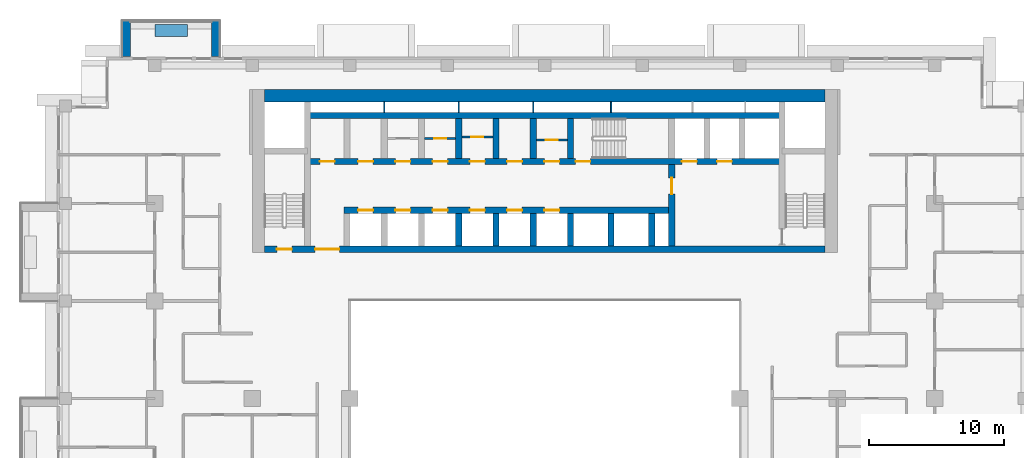
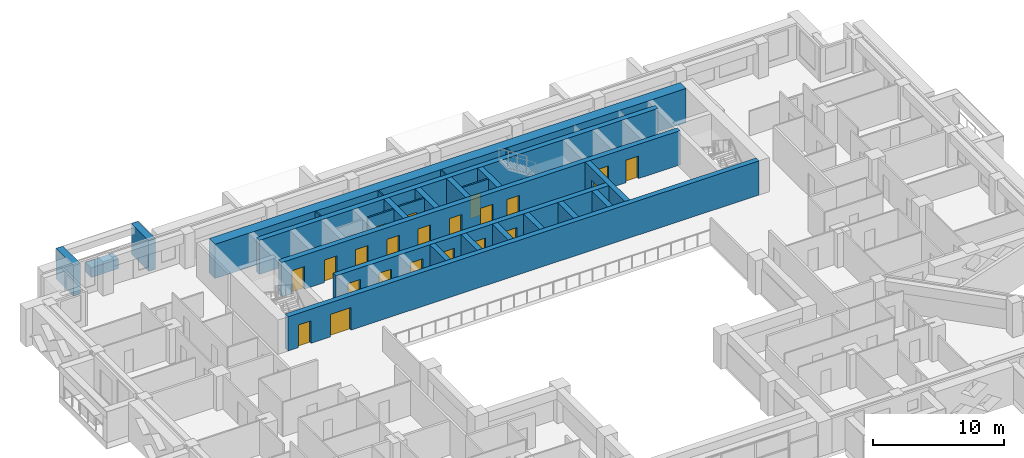
# One storey, part 10 of 17: 26 walls, 22 doors, 22 openings.
"""IFC4 building model written with IfcOpenShell, lengths in metres."""

from ifc_helpers import new_model, si_unit, direction, frame, frame_2d, origin, place, context, subcontext, project, spatial, rectangle, extrude, material, layer, layer_set, type_object, element, fill, save


model = new_model("IFC4")

# Units and contexts
model_context = context("Model", 3, precision=1e-05, world=origin(), true_north=direction((0.0, 1.0)))
body_context = subcontext(model_context, "Body", "Model", "MODEL_VIEW")
ifc_project = project(units=[si_unit("LENGTHUNIT", "METRE"), si_unit("AREAUNIT", "SQUARE_METRE"), si_unit("VOLUMEUNIT", "CUBIC_METRE"), si_unit("PLANEANGLEUNIT", "RADIAN"), si_unit("MASSUNIT", "GRAM", prefix="KILO")], contexts=[model_context])

# Site, building, storey
site_placement = place(None, origin())
site = spatial("IfcSite", under=ifc_project, at=site_placement, CompositionType="ELEMENT")
building_placement = place(site_placement, origin())
building = spatial("IfcBuilding", under=site, at=building_placement, Name="Saffron Iwan Residences", CompositionType="ELEMENT")
storey_placement = place(building_placement, frame((0.0, 0.0, 100.5)))
storey = spatial("IfcBuildingStorey", under=building, at=storey_placement, Name="L26", CompositionType="ELEMENT", Elevation=100.5)

# Walls
ifc_material_1 = material(Name="Concrete C50/60 white painted", Category="concrete")
ifc_layer_1 = layer(ifc_material_1, 0.60009765625)
ifc_layer_set_1 = layer_set([ifc_layer_1], Name="Concrete C50/60 white painted")
wall_type_1 = type_object("IfcWallType", Name="BALCONY FIN 600", PredefinedType="SOLIDWALL", material=ifc_layer_set_1)
for number, where, z_axis, x_axis, name in (
    (1, (26.10009765625, 80.449951171875, 0.0), (0.0, 0.0, 1.0), (0.0, 1.0, 0.0), "Balcony fin L26 F5-3a"),
    (2, (19.5, 80.449951171875, 0.0), (0.0, 0.0, 1.0), (0.0, 1.0, 0.0), "Balcony fin L26 F5-3b"),
):
    element("IfcWall", number, at=place(storey_placement, frame(where, z_axis=z_axis, x_axis=x_axis)), inside=storey, type_object=wall_type_1, Name=name, PredefinedType="SOLIDWALL", context=body_context, shape_type="SweptSolid", body=[
        extrude(rectangle(XDim=2.650146484375, YDim=0.60009765625, at=frame_2d((1.3251953125, 0.0))), origin(), (0.0, 0.0, 1.0), 2.85009765625),
    ])
ifc_material_2 = material(Name="Concrete C35/45 white painted", Category="concrete")
ifc_layer_2 = layer(ifc_material_2, 0.14990234375)
ifc_layer_set_2 = layer_set([ifc_layer_2], Name="Concrete C35/45 white painted")
wall_type_2 = type_object("IfcWallType", Name="BALCONY PLANTER", PredefinedType="SOLIDWALL", material=ifc_layer_set_2)
wall_1_placement = place(storey_placement, frame((24.0, 82.375, 0.0), z_axis=(0.0, 0.0, 1.0), x_axis=(-1.0, 0.0, 0.0)))
element("IfcWall", 3, at=wall_1_placement, inside=storey, type_object=wall_type_2, Name="PLANTER L26 F5-3", PredefinedType="SOLIDWALL", context=body_context, shape_type="SweptSolid", body=[
    extrude(rectangle(XDim=2.39990234375, YDim=0.89990234375, at=frame_2d((1.199951171875, 0.0))), origin(), (0.0, 0.0, 1.0), 0.89990234375),
])

# Wall, opening, door
ifc_material_3 = material(Name="Fire-rated plasterboard partition")
ifc_layer_3 = layer(ifc_material_3, 0.14990234375)
ifc_layer_set_3 = layer_set([ifc_layer_3], Name="Fire-rated plasterboard partition")
wall_type_3 = type_object("IfcWallType", Name="Core partition 150", PredefinedType="PARTITIONING", material=ifc_layer_set_3)
wall_2_placement = place(storey_placement, frame((41.52490234375, 74.39990234375, 0.0), z_axis=(0.0, 0.0, 1.0), x_axis=(1.0, 0.0, 0.0)))
wall_2 = element("IfcWall", 4, at=wall_2_placement, inside=storey, type_object=wall_type_3, Name="Core partition P02", PredefinedType="PARTITIONING", context=body_context, shape_type="SweptSolid", body=[
    extrude(rectangle(XDim=2.300048828125, YDim=0.14990234375, at=frame_2d((1.14990234375, 0.0))), origin(), (0.0, 0.0, 1.0), 3.179931640625),
])
opening_1_placement = place(wall_2_placement, frame((0.699951171875, 0.0, 0.0)))
opening_1 = element("IfcOpeningElement", 5, at=opening_1_placement, cuts=wall_2, Name="Opening SB", PredefinedType="OPENING", context=body_context, shape_type="SweptSolid", body=[
    extrude(rectangle(XDim=0.89990234375, YDim=2.10009765625, at=frame_2d((0.449951171875, 1.050048828125))), frame((0.0, 0.0849609375, 0.0), z_axis=(0.0, -1.0, 0.0), x_axis=(1.0, 0.0, 0.0)), (0.0, 0.0, 1.0), 0.169921875),
])
ifc_material_4 = material(Name="Steel fire door", Category="steel")
door_type_1 = type_object("IfcDoorType", Name="Store door 900", OperationType="NOTDEFINED", PredefinedType="DOOR", material=ifc_material_4)
door_1_placement = place(opening_1_placement, origin())
door_1 = element("IfcDoor", 6, at=door_1_placement, inside=storey, type_object=door_type_1, Name="Door Stationery store", OperationType="SINGLE_SWING_LEFT", OverallHeight=2.10009765625, OverallWidth=0.89990234375, PredefinedType="DOOR", context=body_context, shape_type="SweptSolid", body=[
    extrude(rectangle(XDim=0.89990234375, YDim=2.10009765625, at=frame_2d((0.449951171875, 1.050048828125))), frame((0.0, 0.02490234375, 0.0), z_axis=(0.0, -1.0, 0.0), x_axis=(1.0, 0.0, 0.0)), (0.0, 0.0, 1.0), 0.050048828125),
])
fill(opening_1, door_1)

wall_3_placement = place(storey_placement, frame((44.27490234375, 74.51806640625, 0.0), z_axis=(0.0, 0.0, 1.0), x_axis=(1.0, 0.0, 0.0)))
wall_3 = element("IfcWall", 7, at=wall_3_placement, inside=storey, type_object=wall_type_3, Name="Core partition P03", PredefinedType="PARTITIONING", context=body_context, shape_type="SweptSolid", body=[
    extrude(rectangle(XDim=2.300048828125, YDim=0.14990234375, at=frame_2d((1.14990234375, 0.0))), origin(), (0.0, 0.0, 1.0), 3.179931640625),
])
opening_2_placement = place(wall_3_placement, frame((0.699951171875, 0.0, 0.0)))
opening_2 = element("IfcOpeningElement", 8, at=opening_2_placement, cuts=wall_3, Name="Opening SB", PredefinedType="OPENING", context=body_context, shape_type="SweptSolid", body=[
    extrude(rectangle(XDim=0.89990234375, YDim=2.10009765625, at=frame_2d((0.449951171875, 1.050048828125))), frame((0.0, 0.0849609375, 0.0), z_axis=(0.0, -1.0, 0.0), x_axis=(1.0, 0.0, 0.0)), (0.0, 0.0, 1.0), 0.169921875),
])
door_2_placement = place(opening_2_placement, origin())
door_2 = element("IfcDoor", 9, at=door_2_placement, inside=storey, type_object=door_type_1, Name="Door Tool store", OperationType="SINGLE_SWING_LEFT", OverallHeight=2.10009765625, OverallWidth=0.89990234375, PredefinedType="DOOR", context=body_context, shape_type="SweptSolid", body=[
    extrude(rectangle(XDim=0.89990234375, YDim=2.10009765625, at=frame_2d((0.449951171875, 1.050048828125))), frame((0.0, 0.02490234375, 0.0), z_axis=(0.0, -1.0, 0.0), x_axis=(1.0, 0.0, 0.0)), (0.0, 0.0, 1.0), 0.050048828125),
])
fill(opening_2, door_2)

wall_4_placement = place(storey_placement, frame((49.77490234375, 74.281982421875, 0.0), z_axis=(0.0, 0.0, 1.0), x_axis=(1.0, 0.0, 0.0)))
wall_4 = element("IfcWall", 10, at=wall_4_placement, inside=storey, type_object=wall_type_3, Name="Core partition P04", PredefinedType="PARTITIONING", context=body_context, shape_type="SweptSolid", body=[
    extrude(rectangle(XDim=2.300048828125, YDim=0.14990234375, at=frame_2d((1.14990234375, 0.0))), origin(), (0.0, 0.0, 1.0), 3.179931640625),
])
opening_3_placement = place(wall_4_placement, frame((0.699951171875, 0.0, 0.0)))
opening_3 = element("IfcOpeningElement", 11, at=opening_3_placement, cuts=wall_4, Name="Opening SB", PredefinedType="OPENING", context=body_context, shape_type="SweptSolid", body=[
    extrude(rectangle(XDim=0.89990234375, YDim=2.10009765625, at=frame_2d((0.449951171875, 1.050048828125))), frame((0.0, 0.0849609375, 0.0), z_axis=(0.0, -1.0, 0.0), x_axis=(1.0, 0.0, 0.0)), (0.0, 0.0, 1.0), 0.169921875),
])
door_3_placement = place(opening_3_placement, origin())
door_3 = element("IfcDoor", 12, at=door_3_placement, inside=storey, type_object=door_type_1, Name="Door Equipment store", OperationType="SINGLE_SWING_RIGHT", OverallHeight=2.10009765625, OverallWidth=0.89990234375, PredefinedType="DOOR", context=body_context, shape_type="SweptSolid", body=[
    extrude(rectangle(XDim=0.89990234375, YDim=2.10009765625, at=frame_2d((0.449951171875, 1.050048828125))), frame((0.0, 0.02490234375, 0.0), z_axis=(0.0, -1.0, 0.0), x_axis=(1.0, 0.0, 0.0)), (0.0, 0.0, 1.0), 0.050048828125),
])
fill(opening_3, door_3)

# Walls
ifc_layer_4 = layer(ifc_material_3, 0.10009765625)
ifc_layer_set_4 = layer_set([ifc_layer_4], Name="Fire-rated plasterboard partition")
wall_type_4 = type_object("IfcWallType", Name="Riser partition 100", PredefinedType="PARTITIONING", material=ifc_layer_set_4)
for number, where, z_axis, x_axis, name in (
    (13, (38.550048828125, 76.324951171875, 0.0), (0.0, 0.0, 1.0), (0.0, 1.0, 0.0), "Core partition P05"),
    (14, (44.050048828125, 76.324951171875, 0.0), (0.0, 0.0, 1.0), (0.0, 1.0, 0.0), "Core partition P06"),
    (15, (49.550048828125, 76.324951171875, 0.0), (0.0, 0.0, 1.0), (0.0, 1.0, 0.0), "Core partition P07"),
    (16, (55.300048828125, 76.324951171875, 0.0), (0.0, 0.0, 1.0), (0.0, 1.0, 0.0), "Core partition P08"),
):
    element("IfcWall", number, at=place(storey_placement, frame(where, z_axis=z_axis, x_axis=x_axis)), inside=storey, type_object=wall_type_4, Name=name, PredefinedType="PARTITIONING", context=body_context, shape_type="SweptSolid", body=[
        extrude(rectangle(XDim=0.775146484375, YDim=0.10009765625, at=frame_2d((0.3876953125, 0.0))), origin(), (0.0, 0.0, 1.0), 3.179931640625),
    ])

# Wall, openings, doors
ifc_material_5 = material(Name="Concrete C60/75", Category="concrete")
ifc_layer_5 = layer(ifc_material_5, 0.449951171875)
ifc_layer_set_5 = layer_set([ifc_layer_5], Name="Concrete C60/75")
wall_type_5 = type_object("IfcWallType", Name="WALL CORE 450 C60/75 3180 HIGH", PredefinedType="SHEAR", material=ifc_layer_set_5)
wall_5_placement = place(storey_placement, frame((29.699951171875, 66.22509765625, 0.0), z_axis=(0.0, 0.0, 1.0), x_axis=(1.0, 0.0, 0.0)))
wall_5 = element("IfcWall", 17, at=wall_5_placement, inside=storey, type_object=wall_type_5, Name="Core wall", PredefinedType="SHEAR", context=body_context, shape_type="SweptSolid", body=[
    extrude(rectangle(XDim=41.400146484375, YDim=0.449951171875, at=frame_2d((20.7001953125, 0.0))), origin(), (0.0, 0.0, 1.0), 3.179931640625),
])
opening_4_placement = place(wall_5_placement, frame((0.925048828125, 0.0, 0.0)))
opening_4 = element("IfcOpeningElement", 18, at=opening_4_placement, cuts=wall_5, Name="Opening SD", PredefinedType="OPENING", context=body_context, shape_type="SweptSolid", body=[
    extrude(rectangle(XDim=1.10009765625, YDim=2.10009765625, at=frame_2d((0.550048828125, 1.050048828125))), frame((0.0, 0.23486328125, 0.0), z_axis=(0.0, -1.0, 0.0), x_axis=(1.0, 0.0, 0.0)), (0.0, 0.0, 1.0), 0.469970703125),
])
opening_5_placement = place(wall_5_placement, frame((3.737548828125, 0.0, 0.0)))
opening_5 = element("IfcOpeningElement", 19, at=opening_5_placement, cuts=wall_5, Name="Opening DD", PredefinedType="OPENING", context=body_context, shape_type="SweptSolid", body=[
    extrude(rectangle(XDim=1.800048828125, YDim=2.10009765625, at=frame_2d((0.89990234375, 1.050048828125))), frame((0.0, 0.23486328125, 0.0), z_axis=(0.0, -1.0, 0.0), x_axis=(1.0, 0.0, 0.0)), (0.0, 0.0, 1.0), 0.469970703125),
])
door_type_2 = type_object("IfcDoorType", Name="Lobby double door 1800", OperationType="DOUBLE_DOOR_SINGLE_SWING", PredefinedType="DOOR", material=ifc_material_4)
door_4_placement = place(opening_5_placement, origin())
door_4 = element("IfcDoor", 20, at=door_4_placement, inside=storey, type_object=door_type_2, Name="Lobby doors", OperationType="DOUBLE_DOOR_SINGLE_SWING", OverallHeight=2.10009765625, OverallWidth=1.800048828125, PredefinedType="DOOR", context=body_context, shape_type="SweptSolid", body=[
    extrude(rectangle(XDim=1.800048828125, YDim=2.10009765625, at=frame_2d((0.89990234375, 1.050048828125))), frame((0.0, 0.02490234375, 0.0), z_axis=(0.0, -1.0, 0.0), x_axis=(1.0, 0.0, 0.0)), (0.0, 0.0, 1.0), 0.050048828125),
])
fill(opening_5, door_4)
door_type_3 = type_object("IfcDoorType", Name="Stair door 1100", OperationType="NOTDEFINED", PredefinedType="DOOR", material=ifc_material_4)
door_5_placement = place(opening_4_placement, origin())
door_5 = element("IfcDoor", 21, at=door_5_placement, inside=storey, type_object=door_type_3, Name="Stair door ST-W", OperationType="SINGLE_SWING_LEFT", OverallHeight=2.10009765625, OverallWidth=1.10009765625, PredefinedType="DOOR", context=body_context, shape_type="SweptSolid", body=[
    extrude(rectangle(XDim=1.10009765625, YDim=2.10009765625, at=frame_2d((0.550048828125, 1.050048828125))), frame((0.0, 0.02490234375, 0.0), z_axis=(0.0, -1.0, 0.0), x_axis=(1.0, 0.0, 0.0)), (0.0, 0.0, 1.0), 0.050048828125),
])
fill(opening_4, door_5)

wall_6_placement = place(storey_placement, frame((35.574951171875, 69.10009765625, 0.0), z_axis=(0.0, 0.0, 1.0), x_axis=(1.0, 0.0, 0.0)))
wall_6 = element("IfcWall", 22, at=wall_6_placement, inside=storey, type_object=wall_type_5, Name="Core wall", PredefinedType="SHEAR", context=body_context, shape_type="SweptSolid", body=[
    extrude(rectangle(XDim=24.199951171875, YDim=0.449951171875, at=frame_2d((12.10009765625, 0.0))), origin(), (0.0, 0.0, 1.0), 3.179931640625),
])
opening_6_placement = place(wall_6_placement, frame((1.050048828125, 0.0, 0.0)))
opening_6 = element("IfcOpeningElement", 23, at=opening_6_placement, cuts=wall_6, Name="Opening LD", PredefinedType="OPENING", context=body_context, shape_type="SweptSolid", body=[
    extrude(rectangle(XDim=1.10009765625, YDim=2.10009765625, at=frame_2d((0.550048828125, 1.050048828125))), frame((0.0, 0.23486328125, 0.0), z_axis=(0.0, -1.0, 0.0), x_axis=(1.0, 0.0, 0.0)), (0.0, 0.0, 1.0), 0.469970703125),
])
opening_7_placement = place(wall_6_placement, frame((3.800048828125, 0.0, 0.0)))
opening_7 = element("IfcOpeningElement", 24, at=opening_7_placement, cuts=wall_6, Name="Opening LD", PredefinedType="OPENING", context=body_context, shape_type="SweptSolid", body=[
    extrude(rectangle(XDim=1.10009765625, YDim=2.10009765625, at=frame_2d((0.550048828125, 1.050048828125))), frame((0.0, 0.23486328125, 0.0), z_axis=(0.0, -1.0, 0.0), x_axis=(1.0, 0.0, 0.0)), (0.0, 0.0, 1.0), 0.469970703125),
])
opening_8_placement = place(wall_6_placement, frame((6.550048828125, 0.0, 0.0)))
opening_8 = element("IfcOpeningElement", 25, at=opening_8_placement, cuts=wall_6, Name="Opening LD", PredefinedType="OPENING", context=body_context, shape_type="SweptSolid", body=[
    extrude(rectangle(XDim=1.10009765625, YDim=2.10009765625, at=frame_2d((0.550048828125, 1.050048828125))), frame((0.0, 0.23486328125, 0.0), z_axis=(0.0, -1.0, 0.0), x_axis=(1.0, 0.0, 0.0)), (0.0, 0.0, 1.0), 0.469970703125),
])
opening_9_placement = place(wall_6_placement, frame((9.300048828125, 0.0, 0.0)))
opening_9 = element("IfcOpeningElement", 26, at=opening_9_placement, cuts=wall_6, Name="Opening LD", PredefinedType="OPENING", context=body_context, shape_type="SweptSolid", body=[
    extrude(rectangle(XDim=1.10009765625, YDim=2.10009765625, at=frame_2d((0.550048828125, 1.050048828125))), frame((0.0, 0.23486328125, 0.0), z_axis=(0.0, -1.0, 0.0), x_axis=(1.0, 0.0, 0.0)), (0.0, 0.0, 1.0), 0.469970703125),
])
opening_10_placement = place(wall_6_placement, frame((12.050048828125, 0.0, 0.0)))
opening_10 = element("IfcOpeningElement", 27, at=opening_10_placement, cuts=wall_6, Name="Opening LD", PredefinedType="OPENING", context=body_context, shape_type="SweptSolid", body=[
    extrude(rectangle(XDim=1.10009765625, YDim=2.10009765625, at=frame_2d((0.550048828125, 1.050048828125))), frame((0.0, 0.23486328125, 0.0), z_axis=(0.0, -1.0, 0.0), x_axis=(1.0, 0.0, 0.0)), (0.0, 0.0, 1.0), 0.469970703125),
])
opening_11_placement = place(wall_6_placement, frame((14.800048828125, 0.0, 0.0)))
opening_11 = element("IfcOpeningElement", 28, at=opening_11_placement, cuts=wall_6, Name="Opening LD", PredefinedType="OPENING", context=body_context, shape_type="SweptSolid", body=[
    extrude(rectangle(XDim=1.10009765625, YDim=2.10009765625, at=frame_2d((0.550048828125, 1.050048828125))), frame((0.0, 0.23486328125, 0.0), z_axis=(0.0, -1.0, 0.0), x_axis=(1.0, 0.0, 0.0)), (0.0, 0.0, 1.0), 0.469970703125),
])
door_type_4 = type_object("IfcDoorType", Name="Lift landing door 1100", OperationType="SLIDING_TO_LEFT", PredefinedType="DOOR", material=ifc_material_4)
door_6_placement = place(opening_6_placement, origin())
door_6 = element("IfcDoor", 29, at=door_6_placement, inside=storey, type_object=door_type_4, Name="Landing doors LR1", OperationType="SLIDING_TO_LEFT", OverallHeight=2.10009765625, OverallWidth=1.10009765625, PredefinedType="DOOR", context=body_context, shape_type="SweptSolid", body=[
    extrude(rectangle(XDim=1.10009765625, YDim=2.10009765625, at=frame_2d((0.550048828125, 1.050048828125))), frame((0.0, 0.02490234375, 0.0), z_axis=(0.0, -1.0, 0.0), x_axis=(1.0, 0.0, 0.0)), (0.0, 0.0, 1.0), 0.050048828125),
])
fill(opening_6, door_6)
door_7_placement = place(opening_7_placement, origin())
door_7 = element("IfcDoor", 30, at=door_7_placement, inside=storey, type_object=door_type_4, Name="Landing doors LR2", OperationType="SLIDING_TO_LEFT", OverallHeight=2.10009765625, OverallWidth=1.10009765625, PredefinedType="DOOR", context=body_context, shape_type="SweptSolid", body=[
    extrude(rectangle(XDim=1.10009765625, YDim=2.10009765625, at=frame_2d((0.550048828125, 1.050048828125))), frame((0.0, 0.02490234375, 0.0), z_axis=(0.0, -1.0, 0.0), x_axis=(1.0, 0.0, 0.0)), (0.0, 0.0, 1.0), 0.050048828125),
])
fill(opening_7, door_7)
door_8_placement = place(opening_8_placement, origin())
door_8 = element("IfcDoor", 31, at=door_8_placement, inside=storey, type_object=door_type_4, Name="Landing doors LR3", OperationType="SLIDING_TO_LEFT", OverallHeight=2.10009765625, OverallWidth=1.10009765625, PredefinedType="DOOR", context=body_context, shape_type="SweptSolid", body=[
    extrude(rectangle(XDim=1.10009765625, YDim=2.10009765625, at=frame_2d((0.550048828125, 1.050048828125))), frame((0.0, 0.02490234375, 0.0), z_axis=(0.0, -1.0, 0.0), x_axis=(1.0, 0.0, 0.0)), (0.0, 0.0, 1.0), 0.050048828125),
])
fill(opening_8, door_8)
door_9_placement = place(opening_9_placement, origin())
door_9 = element("IfcDoor", 32, at=door_9_placement, inside=storey, type_object=door_type_4, Name="Landing doors LR4", OperationType="SLIDING_TO_LEFT", OverallHeight=2.10009765625, OverallWidth=1.10009765625, PredefinedType="DOOR", context=body_context, shape_type="SweptSolid", body=[
    extrude(rectangle(XDim=1.10009765625, YDim=2.10009765625, at=frame_2d((0.550048828125, 1.050048828125))), frame((0.0, 0.02490234375, 0.0), z_axis=(0.0, -1.0, 0.0), x_axis=(1.0, 0.0, 0.0)), (0.0, 0.0, 1.0), 0.050048828125),
])
fill(opening_9, door_9)
door_10_placement = place(opening_10_placement, origin())
door_10 = element("IfcDoor", 33, at=door_10_placement, inside=storey, type_object=door_type_4, Name="Landing doors LR5", OperationType="SLIDING_TO_LEFT", OverallHeight=2.10009765625, OverallWidth=1.10009765625, PredefinedType="DOOR", context=body_context, shape_type="SweptSolid", body=[
    extrude(rectangle(XDim=1.10009765625, YDim=2.10009765625, at=frame_2d((0.550048828125, 1.050048828125))), frame((0.0, 0.02490234375, 0.0), z_axis=(0.0, -1.0, 0.0), x_axis=(1.0, 0.0, 0.0)), (0.0, 0.0, 1.0), 0.050048828125),
])
fill(opening_10, door_10)
door_11_placement = place(opening_11_placement, origin())
door_11 = element("IfcDoor", 34, at=door_11_placement, inside=storey, type_object=door_type_4, Name="Landing doors LR6", OperationType="SLIDING_TO_LEFT", OverallHeight=2.10009765625, OverallWidth=1.10009765625, PredefinedType="DOOR", context=body_context, shape_type="SweptSolid", body=[
    extrude(rectangle(XDim=1.10009765625, YDim=2.10009765625, at=frame_2d((0.550048828125, 1.050048828125))), frame((0.0, 0.02490234375, 0.0), z_axis=(0.0, -1.0, 0.0), x_axis=(1.0, 0.0, 0.0)), (0.0, 0.0, 1.0), 0.050048828125),
])
fill(opening_11, door_11)

wall_7_placement = place(storey_placement, frame((32.875, 72.699951171875, 0.0), z_axis=(0.0, 0.0, 1.0), x_axis=(1.0, 0.0, 0.0)))
wall_7 = element("IfcWall", 35, at=wall_7_placement, inside=storey, type_object=wall_type_5, Name="Core wall", PredefinedType="SHEAR", context=body_context, shape_type="SweptSolid", body=[
    extrude(rectangle(XDim=35.050048828125, YDim=0.449951171875, at=frame_2d((17.52490234375, 0.0))), origin(), (0.0, 0.0, 1.0), 3.179931640625),
])
opening_12_placement = place(wall_7_placement, frame((19.800048828125, 0.0, 0.0)))
opening_12 = element("IfcOpeningElement", 36, at=opening_12_placement, cuts=wall_7, Name="Opening SD", PredefinedType="OPENING", context=body_context, shape_type="SweptSolid", body=[
    extrude(rectangle(XDim=1.10009765625, YDim=2.10009765625, at=frame_2d((0.550048828125, 1.050048828125))), frame((0.0, 0.23486328125, 0.0), z_axis=(0.0, -1.0, 0.0), x_axis=(1.0, 0.0, 0.0)), (0.0, 0.0, 1.0), 0.469970703125),
])
opening_13_placement = place(wall_7_placement, frame((27.64990234375, 0.0, 0.0)))
opening_13 = element("IfcOpeningElement", 37, at=opening_13_placement, cuts=wall_7, Name="Opening LD", PredefinedType="OPENING", context=body_context, shape_type="SweptSolid", body=[
    extrude(rectangle(XDim=1.10009765625, YDim=2.10009765625, at=frame_2d((0.550048828125, 1.050048828125))), frame((0.0, 0.23486328125, 0.0), z_axis=(0.0, -1.0, 0.0), x_axis=(1.0, 0.0, 0.0)), (0.0, 0.0, 1.0), 0.469970703125),
])
opening_14_placement = place(wall_7_placement, frame((30.25, 0.0, 0.0)))
opening_14 = element("IfcOpeningElement", 38, at=opening_14_placement, cuts=wall_7, Name="Opening LD", PredefinedType="OPENING", context=body_context, shape_type="SweptSolid", body=[
    extrude(rectangle(XDim=1.10009765625, YDim=2.10009765625, at=frame_2d((0.550048828125, 1.050048828125))), frame((0.0, 0.23486328125, 0.0), z_axis=(0.0, -1.0, 0.0), x_axis=(1.0, 0.0, 0.0)), (0.0, 0.0, 1.0), 0.469970703125),
])
opening_15_placement = place(wall_7_placement, frame((3.75, 0.0, 0.0)))
opening_15 = element("IfcOpeningElement", 39, at=opening_15_placement, cuts=wall_7, Name="Opening SR", PredefinedType="OPENING", context=body_context, shape_type="SweptSolid", body=[
    extrude(rectangle(XDim=1.10009765625, YDim=2.10009765625, at=frame_2d((0.550048828125, 1.050048828125))), frame((0.0, 0.23486328125, 0.0), z_axis=(0.0, -1.0, 0.0), x_axis=(1.0, 0.0, 0.0)), (0.0, 0.0, 1.0), 0.469970703125),
])
opening_16_placement = place(wall_7_placement, frame((6.5, 0.0, 0.0)))
opening_16 = element("IfcOpeningElement", 40, at=opening_16_placement, cuts=wall_7, Name="Opening SR", PredefinedType="OPENING", context=body_context, shape_type="SweptSolid", body=[
    extrude(rectangle(XDim=1.10009765625, YDim=2.10009765625, at=frame_2d((0.550048828125, 1.050048828125))), frame((0.0, 0.23486328125, 0.0), z_axis=(0.0, -1.0, 0.0), x_axis=(1.0, 0.0, 0.0)), (0.0, 0.0, 1.0), 0.469970703125),
])
opening_17_placement = place(wall_7_placement, frame((9.25, 0.0, 0.0)))
opening_17 = element("IfcOpeningElement", 41, at=opening_17_placement, cuts=wall_7, Name="Opening SR", PredefinedType="OPENING", context=body_context, shape_type="SweptSolid", body=[
    extrude(rectangle(XDim=1.10009765625, YDim=2.10009765625, at=frame_2d((0.550048828125, 1.050048828125))), frame((0.0, 0.23486328125, 0.0), z_axis=(0.0, -1.0, 0.0), x_axis=(1.0, 0.0, 0.0)), (0.0, 0.0, 1.0), 0.469970703125),
])
opening_18_placement = place(wall_7_placement, frame((12.0, 0.0, 0.0)))
opening_18 = element("IfcOpeningElement", 42, at=opening_18_placement, cuts=wall_7, Name="Opening SR", PredefinedType="OPENING", context=body_context, shape_type="SweptSolid", body=[
    extrude(rectangle(XDim=1.10009765625, YDim=2.10009765625, at=frame_2d((0.550048828125, 1.050048828125))), frame((0.0, 0.23486328125, 0.0), z_axis=(0.0, -1.0, 0.0), x_axis=(1.0, 0.0, 0.0)), (0.0, 0.0, 1.0), 0.469970703125),
])
opening_19_placement = place(wall_7_placement, frame((14.75, 0.0, 0.0)))
opening_19 = element("IfcOpeningElement", 43, at=opening_19_placement, cuts=wall_7, Name="Opening SR", PredefinedType="OPENING", context=body_context, shape_type="SweptSolid", body=[
    extrude(rectangle(XDim=1.10009765625, YDim=2.10009765625, at=frame_2d((0.550048828125, 1.050048828125))), frame((0.0, 0.23486328125, 0.0), z_axis=(0.0, -1.0, 0.0), x_axis=(1.0, 0.0, 0.0)), (0.0, 0.0, 1.0), 0.469970703125),
])
opening_20_placement = place(wall_7_placement, frame((17.5, 0.0, 0.0)))
opening_20 = element("IfcOpeningElement", 44, at=opening_20_placement, cuts=wall_7, Name="Opening SR", PredefinedType="OPENING", context=body_context, shape_type="SweptSolid", body=[
    extrude(rectangle(XDim=1.10009765625, YDim=2.10009765625, at=frame_2d((0.550048828125, 1.050048828125))), frame((0.0, 0.23486328125, 0.0), z_axis=(0.0, -1.0, 0.0), x_axis=(1.0, 0.0, 0.0)), (0.0, 0.0, 1.0), 0.469970703125),
])
opening_21_placement = place(wall_7_placement, frame((0.91259765625, 0.0, 0.0)))
opening_21 = element("IfcOpeningElement", 45, at=opening_21_placement, cuts=wall_7, Name="Opening SR", PredefinedType="OPENING", context=body_context, shape_type="SweptSolid", body=[
    extrude(rectangle(XDim=1.10009765625, YDim=2.10009765625, at=frame_2d((0.550048828125, 1.050048828125))), frame((0.0, 0.23486328125, 0.0), z_axis=(0.0, -1.0, 0.0), x_axis=(1.0, 0.0, 0.0)), (0.0, 0.0, 1.0), 0.469970703125),
])
door_12_placement = place(opening_13_placement, origin())
door_12 = element("IfcDoor", 46, at=door_12_placement, inside=storey, type_object=door_type_4, Name="Landing doors FF1", OperationType="SLIDING_TO_LEFT", OverallHeight=2.10009765625, OverallWidth=1.10009765625, PredefinedType="DOOR", context=body_context, shape_type="SweptSolid", body=[
    extrude(rectangle(XDim=1.10009765625, YDim=2.10009765625, at=frame_2d((0.550048828125, 1.050048828125))), frame((0.0, 0.02490234375, 0.0), z_axis=(0.0, -1.0, 0.0), x_axis=(1.0, 0.0, 0.0)), (0.0, 0.0, 1.0), 0.050048828125),
])
fill(opening_13, door_12)
door_13_placement = place(opening_14_placement, origin())
door_13 = element("IfcDoor", 47, at=door_13_placement, inside=storey, type_object=door_type_4, Name="Landing doors FF2", OperationType="SLIDING_TO_LEFT", OverallHeight=2.10009765625, OverallWidth=1.10009765625, PredefinedType="DOOR", context=body_context, shape_type="SweptSolid", body=[
    extrude(rectangle(XDim=1.10009765625, YDim=2.10009765625, at=frame_2d((0.550048828125, 1.050048828125))), frame((0.0, 0.02490234375, 0.0), z_axis=(0.0, -1.0, 0.0), x_axis=(1.0, 0.0, 0.0)), (0.0, 0.0, 1.0), 0.050048828125),
])
fill(opening_14, door_13)
door_type_5 = type_object("IfcDoorType", Name="Service door 1100", OperationType="NOTDEFINED", PredefinedType="DOOR", material=ifc_material_4)
door_14_placement = place(opening_15_placement, origin())
door_14 = element("IfcDoor", 48, at=door_14_placement, inside=storey, type_object=door_type_5, Name="Door Communications room", OperationType="SINGLE_SWING_LEFT", OverallHeight=2.10009765625, OverallWidth=1.10009765625, PredefinedType="DOOR", context=body_context, shape_type="SweptSolid", body=[
    extrude(rectangle(XDim=1.10009765625, YDim=2.10009765625, at=frame_2d((0.550048828125, 1.050048828125))), frame((0.0, 0.02490234375, 0.0), z_axis=(0.0, -1.0, 0.0), x_axis=(1.0, 0.0, 0.0)), (0.0, 0.0, 1.0), 0.050048828125),
])
fill(opening_15, door_14)
door_15_placement = place(opening_16_placement, origin())
door_15 = element("IfcDoor", 49, at=door_15_placement, inside=storey, type_object=door_type_5, Name="Door Switch room", OperationType="SINGLE_SWING_LEFT", OverallHeight=2.10009765625, OverallWidth=1.10009765625, PredefinedType="DOOR", context=body_context, shape_type="SweptSolid", body=[
    extrude(rectangle(XDim=1.10009765625, YDim=2.10009765625, at=frame_2d((0.550048828125, 1.050048828125))), frame((0.0, 0.02490234375, 0.0), z_axis=(0.0, -1.0, 0.0), x_axis=(1.0, 0.0, 0.0)), (0.0, 0.0, 1.0), 0.050048828125),
])
fill(opening_16, door_15)
door_16_placement = place(opening_17_placement, origin())
door_16 = element("IfcDoor", 50, at=door_16_placement, inside=storey, type_object=door_type_5, Name="Door Furniture store", OperationType="SINGLE_SWING_LEFT", OverallHeight=2.10009765625, OverallWidth=1.10009765625, PredefinedType="DOOR", context=body_context, shape_type="SweptSolid", body=[
    extrude(rectangle(XDim=1.10009765625, YDim=2.10009765625, at=frame_2d((0.550048828125, 1.050048828125))), frame((0.0, 0.02490234375, 0.0), z_axis=(0.0, -1.0, 0.0), x_axis=(1.0, 0.0, 0.0)), (0.0, 0.0, 1.0), 0.050048828125),
])
fill(opening_17, door_16)
door_17_placement = place(opening_18_placement, origin())
door_17 = element("IfcDoor", 51, at=door_17_placement, inside=storey, type_object=door_type_5, Name="Door Housekeeping store", OperationType="SINGLE_SWING_LEFT", OverallHeight=2.10009765625, OverallWidth=1.10009765625, PredefinedType="DOOR", context=body_context, shape_type="SweptSolid", body=[
    extrude(rectangle(XDim=1.10009765625, YDim=2.10009765625, at=frame_2d((0.550048828125, 1.050048828125))), frame((0.0, 0.02490234375, 0.0), z_axis=(0.0, -1.0, 0.0), x_axis=(1.0, 0.0, 0.0)), (0.0, 0.0, 1.0), 0.050048828125),
])
fill(opening_18, door_17)
door_18_placement = place(opening_19_placement, origin())
door_18 = element("IfcDoor", 52, at=door_18_placement, inside=storey, type_object=door_type_5, Name="Door Cleaner's store", OperationType="SINGLE_SWING_LEFT", OverallHeight=2.10009765625, OverallWidth=1.10009765625, PredefinedType="DOOR", context=body_context, shape_type="SweptSolid", body=[
    extrude(rectangle(XDim=1.10009765625, YDim=2.10009765625, at=frame_2d((0.550048828125, 1.050048828125))), frame((0.0, 0.02490234375, 0.0), z_axis=(0.0, -1.0, 0.0), x_axis=(1.0, 0.0, 0.0)), (0.0, 0.0, 1.0), 0.050048828125),
])
fill(opening_19, door_18)
door_19_placement = place(opening_20_placement, origin())
door_19 = element("IfcDoor", 53, at=door_19_placement, inside=storey, type_object=door_type_5, Name="Door Trolley store", OperationType="SINGLE_SWING_LEFT", OverallHeight=2.10009765625, OverallWidth=1.10009765625, PredefinedType="DOOR", context=body_context, shape_type="SweptSolid", body=[
    extrude(rectangle(XDim=1.10009765625, YDim=2.10009765625, at=frame_2d((0.550048828125, 1.050048828125))), frame((0.0, 0.02490234375, 0.0), z_axis=(0.0, -1.0, 0.0), x_axis=(1.0, 0.0, 0.0)), (0.0, 0.0, 1.0), 0.050048828125),
])
fill(opening_20, door_19)
door_20_placement = place(opening_21_placement, origin())
door_20 = element("IfcDoor", 54, at=door_20_placement, inside=storey, type_object=door_type_5, Name="Door Cleaner's store", OperationType="SINGLE_SWING_LEFT", OverallHeight=2.10009765625, OverallWidth=1.10009765625, PredefinedType="DOOR", context=body_context, shape_type="SweptSolid", body=[
    extrude(rectangle(XDim=1.10009765625, YDim=2.10009765625, at=frame_2d((0.550048828125, 1.050048828125))), frame((0.0, 0.02490234375, 0.0), z_axis=(0.0, -1.0, 0.0), x_axis=(1.0, 0.0, 0.0)), (0.0, 0.0, 1.0), 0.050048828125),
])
fill(opening_21, door_20)
door_21_placement = place(opening_12_placement, origin())
door_21 = element("IfcDoor", 55, at=door_21_placement, inside=storey, type_object=door_type_3, Name="Stair door ST-C", OperationType="SINGLE_SWING_LEFT", OverallHeight=2.10009765625, OverallWidth=1.10009765625, PredefinedType="DOOR", context=body_context, shape_type="SweptSolid", body=[
    extrude(rectangle(XDim=1.10009765625, YDim=2.10009765625, at=frame_2d((0.550048828125, 1.050048828125))), frame((0.0, 0.02490234375, 0.0), z_axis=(0.0, -1.0, 0.0), x_axis=(1.0, 0.0, 0.0)), (0.0, 0.0, 1.0), 0.050048828125),
])
fill(opening_12, door_21)

# Wall
wall_8_placement = place(storey_placement, frame((32.875, 76.10009765625, 0.0), z_axis=(0.0, 0.0, 1.0), x_axis=(1.0, 0.0, 0.0)))
element("IfcWall", 56, at=wall_8_placement, inside=storey, type_object=wall_type_5, Name="Core wall", PredefinedType="SHEAR", context=body_context, shape_type="SweptSolid", body=[
    extrude(rectangle(XDim=35.050048828125, YDim=0.449951171875, at=frame_2d((17.52490234375, 0.0))), origin(), (0.0, 0.0, 1.0), 3.179931640625),
])

# Wall, opening, door
wall_9_placement = place(storey_placement, frame((59.77490234375, 66.449951171875, 0.0), z_axis=(0.0, 0.0, 1.0), x_axis=(0.0, 1.0, 0.0)))
wall_9 = element("IfcWall", 57, at=wall_9_placement, inside=storey, type_object=wall_type_5, Name="Core wall", PredefinedType="SHEAR", context=body_context, shape_type="SweptSolid", body=[
    extrude(rectangle(XDim=6.025146484375, YDim=0.449951171875, at=frame_2d((3.0126953125, 0.0))), origin(), (0.0, 0.0, 1.0), 3.179931640625),
])
opening_22_placement = place(wall_9_placement, frame((3.85009765625, 0.0, 0.0)))
opening_22 = element("IfcOpeningElement", 58, at=opening_22_placement, cuts=wall_9, Name="Opening FD", PredefinedType="OPENING", context=body_context, shape_type="SweptSolid", body=[
    extrude(rectangle(XDim=1.199951171875, YDim=2.10009765625, at=frame_2d((0.60009765625, 1.050048828125))), frame((0.0, 0.23486328125, 0.0), z_axis=(0.0, -1.0, 0.0), x_axis=(1.0, 0.0, 0.0)), (0.0, 0.0, 1.0), 0.469970703125),
])
door_type_6 = type_object("IfcDoorType", Name="Firefighting lobby door 1200", OperationType="NOTDEFINED", PredefinedType="DOOR", material=ifc_material_4)
door_22_placement = place(opening_22_placement, origin())
door_22 = element("IfcDoor", 59, at=door_22_placement, inside=storey, type_object=door_type_6, Name="Firefighting lobby door", OperationType="SINGLE_SWING_RIGHT", OverallHeight=2.10009765625, OverallWidth=1.199951171875, PredefinedType="DOOR", context=body_context, shape_type="SweptSolid", body=[
    extrude(rectangle(XDim=1.199951171875, YDim=2.10009765625, at=frame_2d((0.60009765625, 1.050048828125))), frame((0.0, 0.02490234375, 0.0), z_axis=(0.0, -1.0, 0.0), x_axis=(1.0, 0.0, 0.0)), (0.0, 0.0, 1.0), 0.050048828125),
])
fill(opening_22, door_22)

# Walls
for number, where, z_axis, x_axis, name in (
    (60, (44.050048828125, 66.449951171875, 0.0), (0.0, 0.0, 1.0), (0.0, 1.0, 0.0), "Core wall"),
    (61, (46.800048828125, 66.449951171875, 0.0), (0.0, 0.0, 1.0), (0.0, 1.0, 0.0), "Core wall"),
    (62, (49.550048828125, 66.449951171875, 0.0), (0.0, 0.0, 1.0), (0.0, 1.0, 0.0), "Core wall"),
    (63, (52.300048828125, 66.449951171875, 0.0), (0.0, 0.0, 1.0), (0.0, 1.0, 0.0), "Core wall"),
    (64, (55.300048828125, 66.449951171875, 0.0), (0.0, 0.0, 1.0), (0.0, 1.0, 0.0), "Core wall"),
    (65, (58.300048828125, 66.449951171875, 0.0), (0.0, 0.0, 1.0), (0.0, 1.0, 0.0), "Core wall"),
):
    element("IfcWall", number, at=place(storey_placement, frame(where, z_axis=z_axis, x_axis=x_axis)), inside=storey, type_object=wall_type_5, Name=name, PredefinedType="SHEAR", context=body_context, shape_type="SweptSolid", body=[
        extrude(rectangle(XDim=2.425048828125, YDim=0.449951171875, at=frame_2d((1.21240234375, 0.0))), origin(), (0.0, 0.0, 1.0), 3.179931640625),
    ])
for number, where, z_axis, x_axis, name in (
    (66, (44.050048828125, 72.925048828125, 0.0), (0.0, 0.0, 1.0), (0.0, 1.0, 0.0), "Core wall"),
    (67, (46.800048828125, 72.925048828125, 0.0), (0.0, 0.0, 1.0), (0.0, 1.0, 0.0), "Core wall"),
    (68, (49.550048828125, 72.925048828125, 0.0), (0.0, 0.0, 1.0), (0.0, 1.0, 0.0), "Core wall"),
    (69, (52.300048828125, 72.925048828125, 0.0), (0.0, 0.0, 1.0), (0.0, 1.0, 0.0), "Core wall"),
):
    element("IfcWall", number, at=place(storey_placement, frame(where, z_axis=z_axis, x_axis=x_axis)), inside=storey, type_object=wall_type_5, Name=name, PredefinedType="SHEAR", context=body_context, shape_type="SweptSolid", body=[
        extrude(rectangle(XDim=2.949951171875, YDim=0.449951171875, at=frame_2d((1.47509765625, 0.0))), origin(), (0.0, 0.0, 1.0), 3.179931640625),
    ])
ifc_layer_6 = layer(ifc_material_5, 0.89990234375)
ifc_layer_set_6 = layer_set([ifc_layer_6], Name="Concrete C60/75")
wall_type_6 = type_object("IfcWallType", Name="WALL CORE 900 C60/75 3180 HIGH", PredefinedType="SHEAR", material=ifc_layer_set_6)
wall_10_placement = place(storey_placement, frame((29.699951171875, 77.550048828125, 0.0), z_axis=(0.0, 0.0, 1.0), x_axis=(1.0, 0.0, 0.0)))
element("IfcWall", 70, at=wall_10_placement, inside=storey, type_object=wall_type_6, Name="Core wall", PredefinedType="SHEAR", context=body_context, shape_type="SweptSolid", body=[
    extrude(rectangle(XDim=41.400146484375, YDim=0.89990234375, at=frame_2d((20.7001953125, 0.0))), origin(), (0.0, 0.0, 1.0), 3.179931640625),
])

save(model, "model.ifc")
